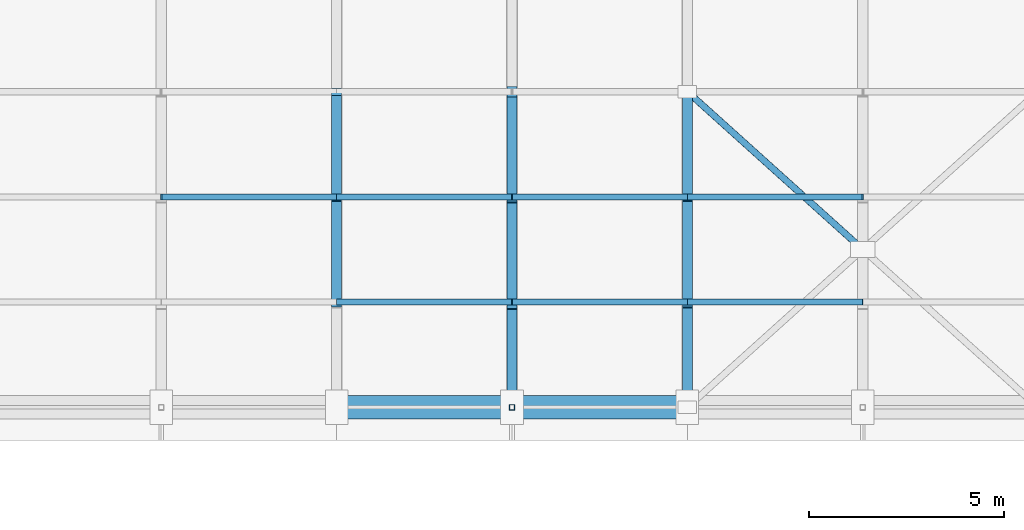
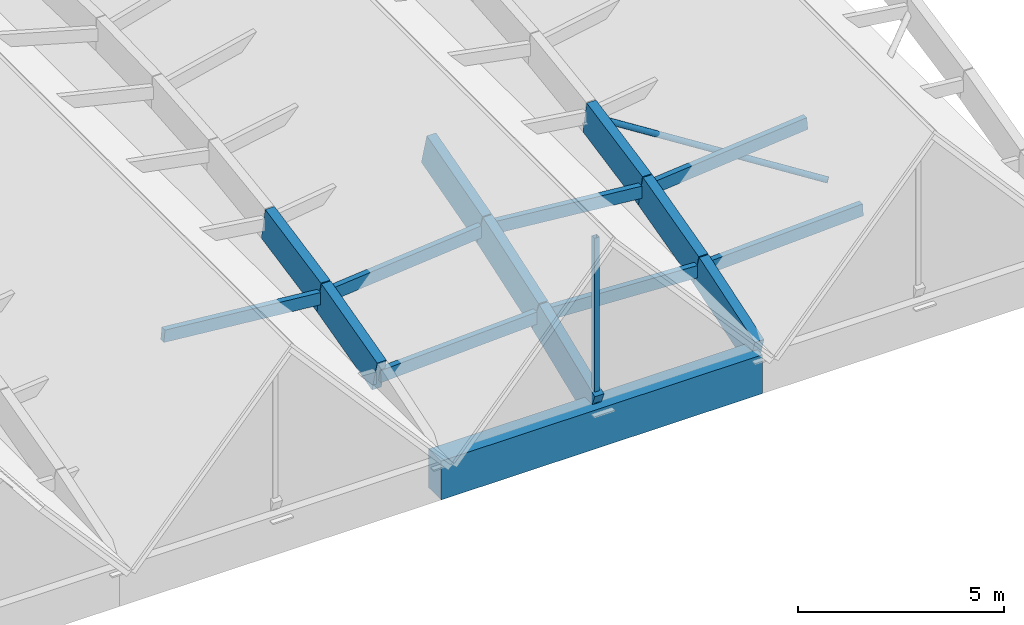
# One storey, part 15 of 39: 17 members, 1 beam.
"""IFC4 building model written with IfcOpenShell, lengths in metres."""

from ifc_helpers import new_model, si_unit, direction, frame, origin, origin_2d, place, context, subcontext, project, spatial, rectangle, hollow_rectangle, hollow_circle, extrude, material, material_profile, profile_set, type_object, element, save


model = new_model("IFC4")

# Units and contexts
model_context = context("Model", 3, precision=1e-05, world=origin(), true_north=direction((0.0, 1.0)))
body_context = subcontext(model_context, "Body", "Model", "MODEL_VIEW")
ifc_project = project(units=[si_unit("LENGTHUNIT", "METRE"), si_unit("AREAUNIT", "SQUARE_METRE"), si_unit("VOLUMEUNIT", "CUBIC_METRE"), si_unit("PLANEANGLEUNIT", "RADIAN"), si_unit("MASSUNIT", "GRAM", prefix="KILO")], contexts=[model_context])

# Site, building, storey
site_placement = place(None, origin())
site = spatial("IfcSite", under=ifc_project, at=site_placement, CompositionType="ELEMENT")
building_placement = place(site_placement, origin())
building = spatial("IfcBuilding", under=site, at=building_placement, Name="Tizgana Railside Sports Hall", CompositionType="ELEMENT")
storey_placement = place(building_placement, frame((0.0, 0.0, 23.699951171875)))
storey = spatial("IfcBuildingStorey", under=building, at=storey_placement, Name="RF", CompositionType="ELEMENT", Elevation=23.699951171875)

# Beam
ifc_material_1 = material(Name="Concrete C40/50", Category="concrete")
ifc_material_profile_1 = material_profile(ifc_material_1, rectangle(XDim=0.60009765625, YDim=1.14990234375, at=origin_2d()), Name="RCB 600x1150")
ifc_profile_set_1 = profile_set([ifc_material_profile_1], Name="Concrete C40/50")
beam_type = type_object("IfcBeamType", Name="Concrete Beam RCB 600x1150", PredefinedType="BEAM", material=ifc_profile_set_1)
beam_placement = place(storey_placement, frame((115.800048828125, 40.800048828125, -3.27490234375), z_axis=(1.0, 0.0, 0.0), x_axis=(0.0, 1.0, 0.0)))
element("IfcBeam", 1, at=beam_placement, inside=storey, type_object=beam_type, Name="RF BEM-1227", PredefinedType="BEAM", context=body_context, shape_type="SweptSolid", body=[
    extrude(rectangle(XDim=0.60009765625, YDim=1.14990234375, at=origin_2d()), origin(), (0.0, 0.0, 1.0), 9.0),
])

# Members
ifc_material_2 = material(Name="Glulam GL32h", Category="wood")
ifc_material_profile_2 = material_profile(ifc_material_2, rectangle(XDim=0.260009765625, YDim=0.97998046875, at=origin_2d()), Name="GL 260x980")
ifc_profile_set_2 = profile_set([ifc_material_profile_2], Name="Glulam GL32h")
member_type_1 = type_object("IfcMemberType", Name="Glulam Arch Segment GL 260x980", PredefinedType="USERDEFINED", material=ifc_profile_set_2)
member_1_placement = place(storey_placement, frame((115.800048828125, 43.5, -1.97119140625), z_axis=(0.0, 0.96740233444, 0.253244394448), x_axis=(-1.0, 0.0, 0.0)))
element("IfcMember", 2, at=member_1_placement, inside=storey, type_object=member_type_1, Name="RF V2 Arch Chord MEM-0511", ObjectType="ARCH_SEGMENT", PredefinedType="USERDEFINED", context=body_context, shape_type="SweptSolid", body=[
    extrude(rectangle(XDim=0.260009765625, YDim=0.97998046875, at=origin_2d()), origin(), (0.0, 0.0, 1.0), 2.791015625),
])
member_2_placement = place(storey_placement, frame((115.800048828125, 46.199951171875, -1.264404296875), z_axis=(0.0, 0.980406395207, 0.196985533064), x_axis=(-1.0, 0.0, 0.0)))
element("IfcMember", 3, at=member_2_placement, inside=storey, type_object=member_type_1, Name="RF V2 Arch Chord MEM-0512", ObjectType="ARCH_SEGMENT", PredefinedType="USERDEFINED", context=body_context, shape_type="SweptSolid", body=[
    extrude(rectangle(XDim=0.260009765625, YDim=0.97998046875, at=origin_2d()), origin(), (0.0, 0.0, 1.0), 2.75390625),
])
member_3_placement = place(storey_placement, frame((120.300048828125, 40.800048828125, -2.849853515625), z_axis=(0.0, 0.927129277991, 0.37474164686), x_axis=(-1.0, 0.0, 0.0)))
element("IfcMember", 4, at=member_3_placement, inside=storey, type_object=member_type_1, Name="RF V2 Arch Chord MEM-0523", ObjectType="ARCH_SEGMENT", PredefinedType="USERDEFINED", context=body_context, shape_type="SweptSolid", body=[
    extrude(rectangle(XDim=0.260009765625, YDim=0.97998046875, at=origin_2d()), origin(), (0.0, 0.0, 1.0), 2.912109375),
])
member_4_placement = place(storey_placement, frame((120.300048828125, 43.5, -1.758544921875), z_axis=(0.0, 0.946643794117, 0.322281751049), x_axis=(-1.0, 0.0, 0.0)))
element("IfcMember", 5, at=member_4_placement, inside=storey, type_object=member_type_1, Name="RF V2 Arch Chord MEM-0524", ObjectType="ARCH_SEGMENT", PredefinedType="USERDEFINED", context=body_context, shape_type="SweptSolid", body=[
    extrude(rectangle(XDim=0.260009765625, YDim=0.97998046875, at=origin_2d()), origin(), (0.0, 0.0, 1.0), 2.85205078125),
])
member_5_placement = place(storey_placement, frame((120.300048828125, 46.199951171875, -0.83935546875), z_axis=(0.0, 0.963066151939, 0.269264901148), x_axis=(-1.0, 0.0, 0.0)))
element("IfcMember", 6, at=member_5_placement, inside=storey, type_object=member_type_1, Name="RF V2 Arch Chord MEM-0525", ObjectType="ARCH_SEGMENT", PredefinedType="USERDEFINED", context=body_context, shape_type="SweptSolid", body=[
    extrude(rectangle(XDim=0.260009765625, YDim=0.97998046875, at=origin_2d()), origin(), (0.0, 0.0, 1.0), 2.803466796875),
])
member_6_placement = place(storey_placement, frame((124.800048828125, 40.800048828125, -2.849853515625), z_axis=(0.0, 0.950912040346, 0.30946129245), x_axis=(-1.0, 0.0, 0.0)))
element("IfcMember", 7, at=member_6_placement, inside=storey, type_object=member_type_1, Name="RF V2 Arch Chord MEM-0536", ObjectType="ARCH_SEGMENT", PredefinedType="USERDEFINED", context=body_context, shape_type="SweptSolid", body=[
    extrude(rectangle(XDim=0.260009765625, YDim=0.97998046875, at=origin_2d()), origin(), (0.0, 0.0, 1.0), 2.83935546875),
])
member_7_placement = place(storey_placement, frame((124.800048828125, 43.5, -1.97119140625), z_axis=(0.0, 0.96740233444, 0.253244394448), x_axis=(-1.0, 0.0, 0.0)))
element("IfcMember", 8, at=member_7_placement, inside=storey, type_object=member_type_1, Name="RF V2 Arch Chord MEM-0537", ObjectType="ARCH_SEGMENT", PredefinedType="USERDEFINED", context=body_context, shape_type="SweptSolid", body=[
    extrude(rectangle(XDim=0.260009765625, YDim=0.97998046875, at=origin_2d()), origin(), (0.0, 0.0, 1.0), 2.791015625),
])
member_8_placement = place(storey_placement, frame((124.800048828125, 46.199951171875, -1.264404296875), z_axis=(0.0, 0.980406395207, 0.196985533064), x_axis=(-1.0, 0.0, 0.0)))
element("IfcMember", 9, at=member_8_placement, inside=storey, type_object=member_type_1, Name="RF V2 Arch Chord MEM-0538", ObjectType="ARCH_SEGMENT", PredefinedType="USERDEFINED", context=body_context, shape_type="SweptSolid", body=[
    extrude(rectangle(XDim=0.260009765625, YDim=0.97998046875, at=origin_2d()), origin(), (0.0, 0.0, 1.0), 2.75390625),
])
ifc_material_3 = material(Name="Glulam GL28h", Category="wood")
ifc_material_profile_3 = material_profile(ifc_material_3, rectangle(XDim=0.159912109375, YDim=0.360107421875, at=origin_2d()), Name="GL 160x360")
ifc_profile_set_3 = profile_set([ifc_material_profile_3], Name="Glulam GL28h")
member_type_2 = type_object("IfcMemberType", Name="Glulam Roof Purlin GL 160x360", PredefinedType="PURLIN", material=ifc_profile_set_3)
member_9_placement = place(storey_placement, frame((111.300048828125, 46.199951171875, -0.83935546875), z_axis=(0.995568727865, 0.0, -0.094036738022), x_axis=(0.0, 1.0, 0.0)))
element("IfcMember", 10, at=member_9_placement, inside=storey, type_object=member_type_2, Name="RF V2 Purlin MEM-0661", PredefinedType="PURLIN", context=body_context, shape_type="SweptSolid", body=[
    extrude(rectangle(XDim=0.159912109375, YDim=0.360107421875, at=origin_2d()), origin(), (0.0, 0.0, 1.0), 4.52001953125),
])
for number, where, z_axis, x_axis, name in (
    (11, (115.800048828125, 43.5, -1.97119140625), (0.998885359561, 0.0, 0.047202102223), (0.0, 1.0, 0.0), "RF V2 Purlin MEM-0683"),
    (12, (120.300048828125, 43.5, -1.758544921875), (0.998885359561, 0.0, -0.047202102223), (0.0, 1.0, 0.0), "RF V2 Purlin MEM-0684"),
):
    element("IfcMember", number, at=place(storey_placement, frame(where, z_axis=z_axis, x_axis=x_axis)), inside=storey, type_object=member_type_2, Name=name, PredefinedType="PURLIN", context=body_context, shape_type="SweptSolid", body=[
        extrude(rectangle(XDim=0.159912109375, YDim=0.360107421875, at=origin_2d()), origin(), (0.0, 0.0, 1.0), 4.505126953125),
    ])
for number, where, z_axis, x_axis, name in (
    (13, (115.800048828125, 46.199951171875, -1.264404296875), (0.995568727865, 0.0, 0.094036738022), (0.0, 1.0, 0.0), "RF V2 Purlin MEM-0685"),
    (14, (120.300048828125, 46.199951171875, -0.83935546875), (0.995568727865, 0.0, -0.094036738022), (0.0, 1.0, 0.0), "RF V2 Purlin MEM-0686"),
):
    element("IfcMember", number, at=place(storey_placement, frame(where, z_axis=z_axis, x_axis=x_axis)), inside=storey, type_object=member_type_2, Name=name, PredefinedType="PURLIN", context=body_context, shape_type="SweptSolid", body=[
        extrude(rectangle(XDim=0.159912109375, YDim=0.360107421875, at=origin_2d()), origin(), (0.0, 0.0, 1.0), 4.52001953125),
    ])
member_10_placement = place(storey_placement, frame((124.800048828125, 43.5, -1.97119140625), z_axis=(0.998885359561, 0.0, 0.047202102223), x_axis=(0.0, 1.0, 0.0)))
element("IfcMember", 15, at=member_10_placement, inside=storey, type_object=member_type_2, Name="RF V2 Purlin MEM-0708", PredefinedType="PURLIN", context=body_context, shape_type="SweptSolid", body=[
    extrude(rectangle(XDim=0.159912109375, YDim=0.360107421875, at=origin_2d()), origin(), (0.0, 0.0, 1.0), 4.505126953125),
])
member_11_placement = place(storey_placement, frame((124.800048828125, 46.199951171875, -1.264404296875), z_axis=(0.995568727865, 0.0, 0.094036738022), x_axis=(0.0, 1.0, 0.0)))
element("IfcMember", 16, at=member_11_placement, inside=storey, type_object=member_type_2, Name="RF V2 Purlin MEM-0710", PredefinedType="PURLIN", context=body_context, shape_type="SweptSolid", body=[
    extrude(rectangle(XDim=0.159912109375, YDim=0.360107421875, at=origin_2d()), origin(), (0.0, 0.0, 1.0), 4.52001953125),
])
ifc_material_4 = material(Name="Steel S355J2", Category="steel")
ifc_material_profile_4 = material_profile(ifc_material_4, hollow_circle(Radius=0.084228515625, WallThickness=0.008056640625, at=origin_2d()), Name="CHS 168.3x8")
ifc_profile_set_4 = profile_set([ifc_material_profile_4], Name="Steel S355J2")
member_type_3 = type_object("IfcMemberType", Name="Steel Brace CHS 168.3x8", PredefinedType="BRACE", material=ifc_profile_set_4)
member_12_placement = place(storey_placement, frame((129.197509765625, 44.942138671875, -1.76171875), z_axis=(-0.732069476291, 0.658870657348, 0.173100371948), x_axis=(-0.668969291431, -0.743290042394, 0.0)))
element("IfcMember", 17, at=member_12_placement, inside=storey, type_object=member_type_3, Name="RF V2 Split Wind Brace MEM-0732", PredefinedType="BRACE", context=body_context, shape_type="SweptSolid", body=[
    extrude(hollow_circle(Radius=0.084228515625, WallThickness=0.008056640625, at=origin_2d()), origin(), (0.0, 0.0, 1.0), 6.0068359375),
])
ifc_material_profile_5 = material_profile(ifc_material_4, hollow_rectangle(XDim=0.139892578125, YDim=0.139892578125, WallThickness=0.008056640625, at=origin_2d()), Name="SHS 140x140x8")
ifc_profile_set_5 = profile_set([ifc_material_profile_5], Name="Steel S355J2")
member_type_4 = type_object("IfcMemberType", Name="Steel Brace SHS 140x140x8", PredefinedType="BRACE", material=ifc_profile_set_5)
member_13_placement = place(storey_placement, frame((120.300048828125, 40.800048828125, -2.89990234375), z_axis=(0.0, 0.0, 1.0), x_axis=(1.0, 0.0, 0.0)))
element("IfcMember", 18, at=member_13_placement, inside=storey, type_object=member_type_4, Name="RF King Post", PredefinedType="BRACE", context=body_context, shape_type="SweptSolid", body=[
    extrude(hollow_rectangle(XDim=0.139892578125, YDim=0.139892578125, WallThickness=0.008056640625, at=origin_2d()), origin(), (0.0, 0.0, 1.0), 5.099853515625),
])

save(model, "model.ifc")
